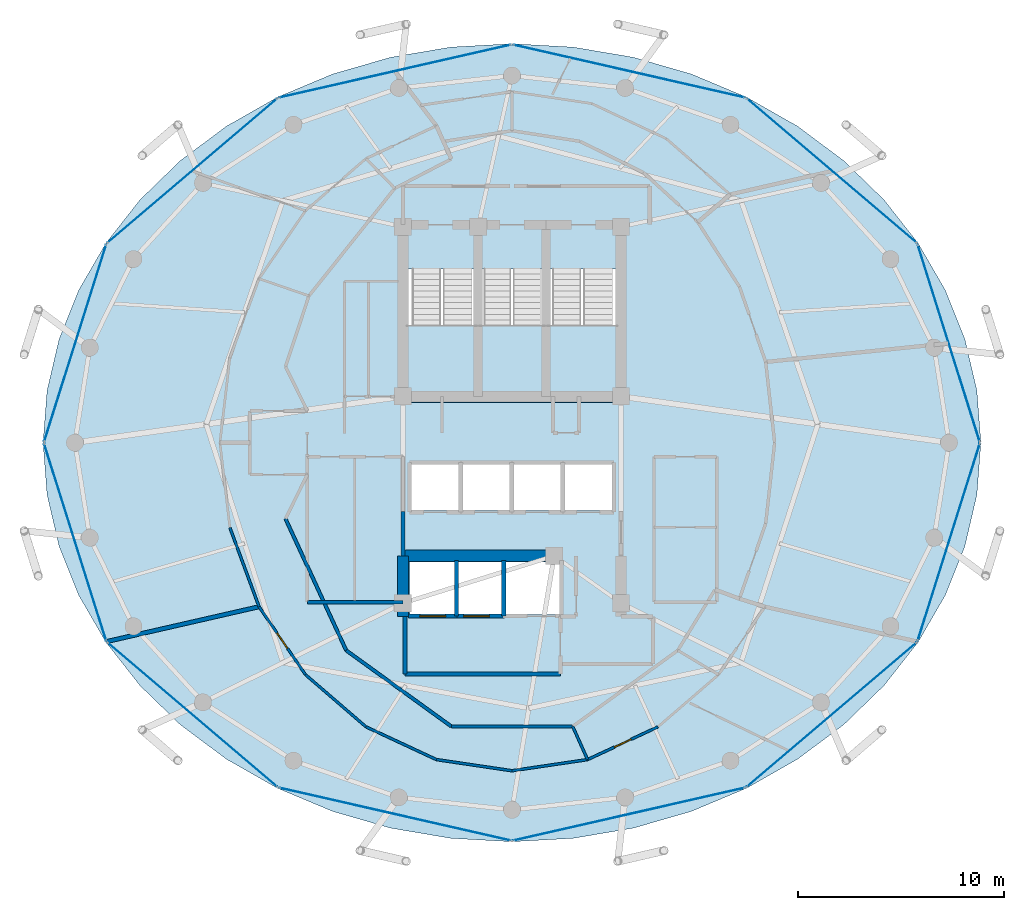
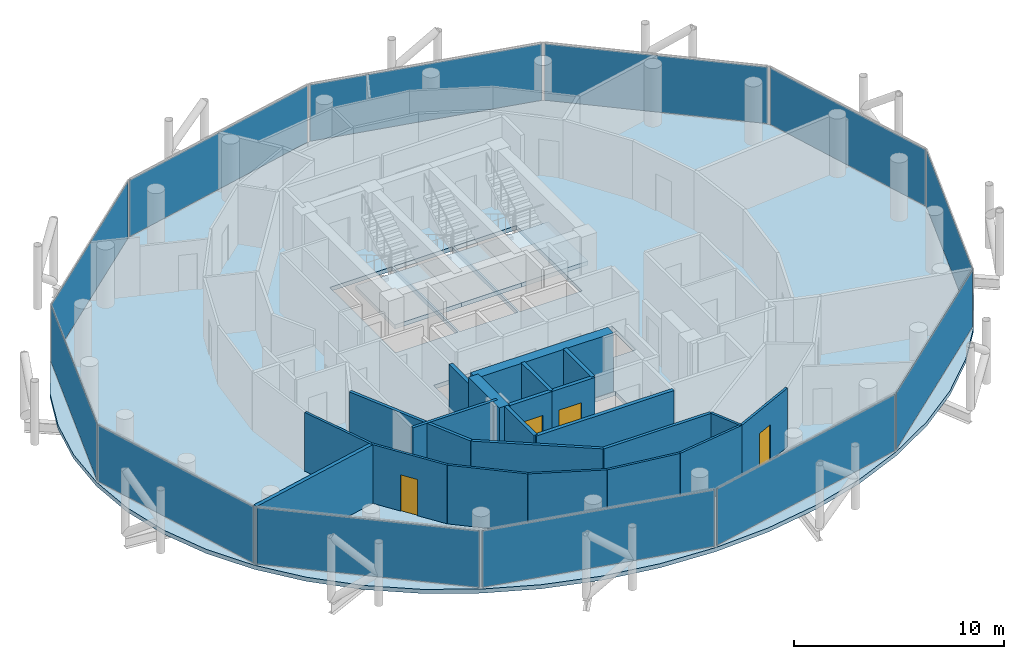
# One storey, part 22 of 27: 22 walls, 12 plates, 4 doors, 4 slabs, 4 openings, 15 elements without a shape of their own.
"""IFC4 building model written with IfcOpenShell, lengths in metres."""

from ifc_helpers import new_model, si_unit, direction, frame, frame_2d, origin, origin_2d, place, context, subcontext, project, spatial, polyline, rectangle, outline, extrude, material, layer, layer_set, type_object, element, fill, aggregate, save


model = new_model("IFC4")

# Units and contexts
model_context = context("Model", 3, precision=1e-05, world=origin(), true_north=direction((0.0, 1.0)))
body_context = subcontext(model_context, "Body", "Model", "MODEL_VIEW")
ifc_project = project(units=[si_unit("LENGTHUNIT", "METRE"), si_unit("AREAUNIT", "SQUARE_METRE"), si_unit("VOLUMEUNIT", "CUBIC_METRE"), si_unit("PLANEANGLEUNIT", "RADIAN"), si_unit("MASSUNIT", "GRAM", prefix="KILO")], contexts=[model_context])

# Site, building, storey
site_placement = place(None, origin())
site = spatial("IfcSite", under=ifc_project, at=site_placement, CompositionType="ELEMENT")
building_placement = place(site_placement, origin())
building = spatial("IfcBuilding", under=site, at=building_placement, Name="Nuhasar Tower", CompositionType="ELEMENT")
storey_placement = place(building_placement, frame((0.0, 0.0, 211.800048828125)))
storey = spatial("IfcBuildingStorey", under=building, at=storey_placement, Name="L51", CompositionType="ELEMENT", Elevation=211.800048828125)

# Curtain wall, plate
ifc_material_1 = material(Name="Aluminium 6063-T6", Category="aluminium")
ifc_layer_1 = layer(ifc_material_1, 0.18994140625)
ifc_layer_set_1 = layer_set([ifc_layer_1], Name="Aluminium 6063-T6")
curtain_wall_type = type_object("IfcCurtainWallType", Name="CW-Z3-RES", PredefinedType="NOTDEFINED", material=ifc_layer_set_1)
curtain_wall_1_placement = place(storey_placement, origin())
curtain_wall_1 = element("IfcCurtainWall", 1, at=curtain_wall_1_placement, inside=storey, type_object=curtain_wall_type, Name="L51 Unitised Curtain Wall 01", PredefinedType="NOTDEFINED")
ifc_material_2 = material(Name="Glass Double Low-E", Category="glass")
ifc_layer_2 = layer(ifc_material_2, 0.028076171875)
ifc_layer_set_2 = layer_set([ifc_layer_2], Name="Glass Double Low-E")
plate_type = type_object("IfcPlateType", Name="CW-PANEL-GLZ", PredefinedType="CURTAIN_PANEL", material=ifc_layer_set_2)
plate_1_placement = place(storey_placement, frame((60.235595703125, 31.639892578125, 0.06494140625), z_axis=(0.0, 0.0, 1.0), x_axis=(-0.30042864553, 0.95380429279, 0.0)))
plate_1 = element("IfcPlate", 2, at=plate_1_placement, type_object=plate_type, Name="CW-Z3 panel 1.1", PredefinedType="CURTAIN_PANEL", context=body_context, shape_type="SweptSolid", body=[
    extrude(rectangle(XDim=10.018798828125, YDim=0.028076171875, at=origin_2d()), origin(), (0.0, 0.0, 1.0), 3.280029296875),
])
aggregate(curtain_wall_1, [plate_1])

curtain_wall_2_placement = place(storey_placement, origin())
curtain_wall_2 = element("IfcCurtainWall", 3, at=curtain_wall_2_placement, inside=storey, type_object=curtain_wall_type, Name="L51 Unitised Curtain Wall 02", PredefinedType="NOTDEFINED")
plate_2_placement = place(storey_placement, frame((54.54541015625, 40.02294921875, 0.06494140625), z_axis=(0.0, 0.0, 1.0), x_axis=(-0.761729472562, 0.64789521578, 0.0)))
plate_2 = element("IfcPlate", 4, at=plate_2_placement, type_object=plate_type, Name="CW-Z3 panel 1.1", PredefinedType="CURTAIN_PANEL", context=body_context, shape_type="SweptSolid", body=[
    extrude(rectangle(XDim=10.806884765625, YDim=0.028076171875, at=origin_2d()), origin(), (0.0, 0.0, 1.0), 3.280029296875),
])
aggregate(curtain_wall_2, [plate_2])

curtain_wall_3_placement = place(storey_placement, origin())
curtain_wall_3 = element("IfcCurtainWall", 5, at=curtain_wall_3_placement, inside=storey, type_object=curtain_wall_type, Name="L51 Unitised Curtain Wall 03", PredefinedType="NOTDEFINED")
plate_3_placement = place(storey_placement, frame((44.68994140625, 44.863037109375, 0.06494140625), z_axis=(0.0, 0.0, 1.0), x_axis=(-0.974991266926, 0.222243176313, 0.0)))
plate_3 = element("IfcPlate", 6, at=plate_3_placement, type_object=plate_type, Name="CW-Z3 panel 1.1", PredefinedType="CURTAIN_PANEL", context=body_context, shape_type="SweptSolid", body=[
    extrude(rectangle(XDim=11.5419921875, YDim=0.028076171875, at=origin_2d()), origin(), (0.0, 0.0, 1.0), 3.280029296875),
])
aggregate(curtain_wall_3, [plate_3])

curtain_wall_4_placement = place(storey_placement, origin())
curtain_wall_4 = element("IfcCurtainWall", 7, at=curtain_wall_4_placement, inside=storey, type_object=curtain_wall_type, Name="L51 Unitised Curtain Wall 04", PredefinedType="NOTDEFINED")
plate_4_placement = place(storey_placement, frame((33.31005859375, 44.863037109375, 0.06494140625), z_axis=(0.0, 0.0, 1.0), x_axis=(-0.974991266926, -0.222243176313, 0.0)))
plate_4 = element("IfcPlate", 8, at=plate_4_placement, type_object=plate_type, Name="CW-Z3 panel 1.1", PredefinedType="CURTAIN_PANEL", context=body_context, shape_type="SweptSolid", body=[
    extrude(rectangle(XDim=11.5419921875, YDim=0.028076171875, at=origin_2d()), origin(), (0.0, 0.0, 1.0), 3.280029296875),
])
aggregate(curtain_wall_4, [plate_4])

curtain_wall_5_placement = place(storey_placement, origin())
curtain_wall_5 = element("IfcCurtainWall", 9, at=curtain_wall_5_placement, inside=storey, type_object=curtain_wall_type, Name="L51 Unitised Curtain Wall 05", PredefinedType="NOTDEFINED")
plate_5_placement = place(storey_placement, frame((23.45458984375, 40.02294921875, 0.06494140625), z_axis=(0.0, 0.0, 1.0), x_axis=(-0.761729472562, -0.64789521578, 0.0)))
plate_5 = element("IfcPlate", 10, at=plate_5_placement, type_object=plate_type, Name="CW-Z3 panel 1.1", PredefinedType="CURTAIN_PANEL", context=body_context, shape_type="SweptSolid", body=[
    extrude(rectangle(XDim=10.806884765625, YDim=0.028076171875, at=origin_2d()), origin(), (0.0, 0.0, 1.0), 3.280029296875),
])
aggregate(curtain_wall_5, [plate_5])

curtain_wall_6_placement = place(storey_placement, origin())
curtain_wall_6 = element("IfcCurtainWall", 11, at=curtain_wall_6_placement, inside=storey, type_object=curtain_wall_type, Name="L51 Unitised Curtain Wall 06", PredefinedType="NOTDEFINED")
plate_6_placement = place(storey_placement, frame((17.764404296875, 31.639892578125, 0.06494140625), z_axis=(0.0, 0.0, 1.0), x_axis=(-0.30042864553, -0.95380429279, 0.0)))
plate_6 = element("IfcPlate", 12, at=plate_6_placement, type_object=plate_type, Name="CW-Z3 panel 1.1", PredefinedType="CURTAIN_PANEL", context=body_context, shape_type="SweptSolid", body=[
    extrude(rectangle(XDim=10.018798828125, YDim=0.028076171875, at=origin_2d()), origin(), (0.0, 0.0, 1.0), 3.280029296875),
])
aggregate(curtain_wall_6, [plate_6])

curtain_wall_7_placement = place(storey_placement, origin())
curtain_wall_7 = element("IfcCurtainWall", 13, at=curtain_wall_7_placement, inside=storey, type_object=curtain_wall_type, Name="L51 Unitised Curtain Wall 07", PredefinedType="NOTDEFINED")
plate_7_placement = place(storey_placement, frame((17.764404296875, 21.9599609375, 0.06494140625), z_axis=(0.0, 0.0, 1.0), x_axis=(0.30042864553, -0.95380429279, 0.0)))
plate_7 = element("IfcPlate", 14, at=plate_7_placement, type_object=plate_type, Name="CW-Z3 panel 1.1", PredefinedType="CURTAIN_PANEL", context=body_context, shape_type="SweptSolid", body=[
    extrude(rectangle(XDim=10.018798828125, YDim=0.028076171875, at=origin_2d()), origin(), (0.0, 0.0, 1.0), 3.280029296875),
])
aggregate(curtain_wall_7, [plate_7])

curtain_wall_8_placement = place(storey_placement, origin())
curtain_wall_8 = element("IfcCurtainWall", 15, at=curtain_wall_8_placement, inside=storey, type_object=curtain_wall_type, Name="L51 Unitised Curtain Wall 08", PredefinedType="NOTDEFINED")
plate_8_placement = place(storey_placement, frame((23.45458984375, 13.576904296875, 0.06494140625), z_axis=(0.0, 0.0, 1.0), x_axis=(0.761729472562, -0.64789521578, 0.0)))
plate_8 = element("IfcPlate", 16, at=plate_8_placement, type_object=plate_type, Name="CW-Z3 panel 1.1", PredefinedType="CURTAIN_PANEL", context=body_context, shape_type="SweptSolid", body=[
    extrude(rectangle(XDim=10.806884765625, YDim=0.028076171875, at=origin_2d()), origin(), (0.0, 0.0, 1.0), 3.280029296875),
])
aggregate(curtain_wall_8, [plate_8])

curtain_wall_9_placement = place(storey_placement, origin())
curtain_wall_9 = element("IfcCurtainWall", 17, at=curtain_wall_9_placement, inside=storey, type_object=curtain_wall_type, Name="L51 Unitised Curtain Wall 09", PredefinedType="NOTDEFINED")
plate_9_placement = place(storey_placement, frame((33.31005859375, 8.737060546875, 0.06494140625), z_axis=(0.0, 0.0, 1.0), x_axis=(0.974991266926, -0.222243176313, 0.0)))
plate_9 = element("IfcPlate", 18, at=plate_9_placement, type_object=plate_type, Name="CW-Z3 panel 1.1", PredefinedType="CURTAIN_PANEL", context=body_context, shape_type="SweptSolid", body=[
    extrude(rectangle(XDim=11.5419921875, YDim=0.028076171875, at=origin_2d()), origin(), (0.0, 0.0, 1.0), 3.280029296875),
])
aggregate(curtain_wall_9, [plate_9])

curtain_wall_10_placement = place(storey_placement, origin())
curtain_wall_10 = element("IfcCurtainWall", 19, at=curtain_wall_10_placement, inside=storey, type_object=curtain_wall_type, Name="L51 Unitised Curtain Wall 10", PredefinedType="NOTDEFINED")
plate_10_placement = place(storey_placement, frame((44.68994140625, 8.737060546875, 0.06494140625), z_axis=(0.0, 0.0, 1.0), x_axis=(0.974991266926, 0.222243176313, 0.0)))
plate_10 = element("IfcPlate", 20, at=plate_10_placement, type_object=plate_type, Name="CW-Z3 panel 1.1", PredefinedType="CURTAIN_PANEL", context=body_context, shape_type="SweptSolid", body=[
    extrude(rectangle(XDim=11.5419921875, YDim=0.028076171875, at=origin_2d()), origin(), (0.0, 0.0, 1.0), 3.280029296875),
])
aggregate(curtain_wall_10, [plate_10])

curtain_wall_11_placement = place(storey_placement, origin())
curtain_wall_11 = element("IfcCurtainWall", 21, at=curtain_wall_11_placement, inside=storey, type_object=curtain_wall_type, Name="L51 Unitised Curtain Wall 11", PredefinedType="NOTDEFINED")
plate_11_placement = place(storey_placement, frame((54.54541015625, 13.576904296875, 0.06494140625), z_axis=(0.0, 0.0, 1.0), x_axis=(0.761729472562, 0.64789521578, 0.0)))
plate_11 = element("IfcPlate", 22, at=plate_11_placement, type_object=plate_type, Name="CW-Z3 panel 1.1", PredefinedType="CURTAIN_PANEL", context=body_context, shape_type="SweptSolid", body=[
    extrude(rectangle(XDim=10.806884765625, YDim=0.028076171875, at=origin_2d()), origin(), (0.0, 0.0, 1.0), 3.280029296875),
])
aggregate(curtain_wall_11, [plate_11])

curtain_wall_12_placement = place(storey_placement, origin())
curtain_wall_12 = element("IfcCurtainWall", 23, at=curtain_wall_12_placement, inside=storey, type_object=curtain_wall_type, Name="L51 Unitised Curtain Wall 12", PredefinedType="NOTDEFINED")
plate_12_placement = place(storey_placement, frame((60.235595703125, 21.9599609375, 0.06494140625), z_axis=(0.0, 0.0, 1.0), x_axis=(0.30042864553, 0.95380429279, 0.0)))
plate_12 = element("IfcPlate", 24, at=plate_12_placement, type_object=plate_type, Name="CW-Z3 panel 1.1", PredefinedType="CURTAIN_PANEL", context=body_context, shape_type="SweptSolid", body=[
    extrude(rectangle(XDim=10.018798828125, YDim=0.028076171875, at=origin_2d()), origin(), (0.0, 0.0, 1.0), 3.280029296875),
])
aggregate(curtain_wall_12, [plate_12])

# Stair, slab
ifc_material_3 = material(Name="Concrete C45/55", Category="concrete")
stair_type_1 = type_object("IfcStairType", Name="STR-ST-01-2F-22R-1659", PredefinedType="HALF_TURN_STAIR", material=ifc_material_3)
stair_1_placement = place(storey_placement, origin())
stair_1 = element("IfcStair", 25, at=stair_1_placement, inside=storey, type_object=stair_type_1, Name="L51 Exit Stair ST-01", PredefinedType="HALF_TURN_STAIR")
ifc_layer_3 = layer(ifc_material_3, 0.239990234375)
ifc_layer_set_3 = layer_set([ifc_layer_3], Name="Concrete C45/55")
slab_type_1 = type_object("IfcSlabType", Name="SLB-STAIR-LND-240", PredefinedType="LANDING", material=ifc_layer_set_3)
slab_1_placement = place(storey_placement, frame((0.0, 0.0, 1.5849609375)))
slab_1 = element("IfcSlab", 26, at=slab_1_placement, type_object=slab_type_1, Name="ST-01 landing 1", PredefinedType="LANDING", context=body_context, shape_type="SweptSolid", body=[
    extrude(outline(polyline([(33.699951171875, 28.75), (37.35009765625, 28.75), (37.35009765625, 32.52001953125), (33.699951171875, 32.52001953125), (33.699951171875, 28.75)])), origin(), (0.0, 0.0, 1.0), 0.239990234375),
])
aggregate(stair_1, [slab_1])

stair_type_2 = type_object("IfcStairType", Name="STR-ST-03-2F-22R-1659", PredefinedType="HALF_TURN_STAIR", material=ifc_material_3)
stair_2_placement = place(storey_placement, origin())
stair_2 = element("IfcStair", 27, at=stair_2_placement, inside=storey, type_object=stair_type_2, Name="L51 Exit Stair ST-03", PredefinedType="HALF_TURN_STAIR")
slab_2_placement = place(storey_placement, frame((0.0, 0.0, 1.5849609375)))
slab_2 = element("IfcSlab", 28, at=slab_2_placement, type_object=slab_type_1, Name="ST-03 landing 1", PredefinedType="LANDING", context=body_context, shape_type="SweptSolid", body=[
    extrude(outline(polyline([(37.35009765625, 28.75), (40.64990234375, 28.75), (40.64990234375, 32.52001953125), (37.35009765625, 32.52001953125), (37.35009765625, 28.75)])), origin(), (0.0, 0.0, 1.0), 0.239990234375),
])
aggregate(stair_2, [slab_2])

stair_type_3 = type_object("IfcStairType", Name="STR-ST-02-2F-22R-1659", PredefinedType="HALF_TURN_STAIR", material=ifc_material_3)
stair_3_placement = place(storey_placement, origin())
stair_3 = element("IfcStair", 29, at=stair_3_placement, inside=storey, type_object=stair_type_3, Name="L51 Exit Stair ST-02", PredefinedType="HALF_TURN_STAIR")
slab_3_placement = place(storey_placement, frame((0.0, 0.0, 1.5849609375)))
slab_3 = element("IfcSlab", 30, at=slab_3_placement, type_object=slab_type_1, Name="ST-02 landing 1", PredefinedType="LANDING", context=body_context, shape_type="SweptSolid", body=[
    extrude(outline(polyline([(40.64990234375, 28.75), (44.300048828125, 28.75), (44.300048828125, 32.52001953125), (40.64990234375, 32.52001953125), (40.64990234375, 28.75)])), origin(), (0.0, 0.0, 1.0), 0.239990234375),
])
aggregate(stair_3, [slab_3])

# Slab
ifc_layer_4 = layer(ifc_material_3, 0.239990234375)
ifc_layer_set_4 = layer_set([ifc_layer_4], Name="Concrete C45/55")
slab_type_2 = type_object("IfcSlabType", Name="SLB-Z3-240", PredefinedType="FLOOR", material=ifc_layer_set_4)
slab_4_placement = place(storey_placement, frame((0.0, 0.0, -0.239990234375)))
element("IfcSlab", 31, at=slab_4_placement, inside=storey, type_object=slab_type_2, Name="L51 Structural Slab", PredefinedType="FLOOR", context=body_context, shape_type="SweptSolid", body=[
    extrude(outline(polyline([(61.800048828125, 26.800048828125), (61.60498046875, 29.33203125), (61.02294921875, 31.821044921875), (60.06396484375, 34.22412109375), (58.7451171875, 36.5), (57.087890625, 38.610107421875), (55.1220703125, 40.51806640625), (52.8798828125, 42.19091796875), (50.39990234375, 43.60107421875), (47.72509765625, 44.722900390625), (44.90087890625, 45.5390625), (41.97607421875, 46.033935546875), (39.0, 46.199951171875), (36.02392578125, 46.033935546875), (33.09912109375, 45.5390625), (30.27490234375, 44.722900390625), (27.60009765625, 43.60107421875), (25.1201171875, 42.19091796875), (22.8779296875, 40.51806640625), (20.912109375, 38.610107421875), (19.2548828125, 36.5), (17.93603515625, 34.22412109375), (16.97705078125, 31.821044921875), (16.39501953125, 29.33203125), (16.199951171875, 26.800048828125), (16.39501953125, 24.26806640625), (16.97705078125, 21.779052734375), (17.93603515625, 19.3759765625), (19.2548828125, 17.10009765625), (20.912109375, 14.989990234375), (22.8779296875, 13.08203125), (25.1201171875, 11.408935546875), (27.60009765625, 9.9990234375), (30.27490234375, 8.876953125), (33.09912109375, 8.06103515625), (36.02392578125, 7.56591796875), (39.0, 7.39990234375), (41.97607421875, 7.56591796875), (44.90087890625, 8.06103515625), (47.72509765625, 8.876953125), (50.39990234375, 9.9990234375), (52.8798828125, 11.408935546875), (55.1220703125, 13.08203125), (57.087890625, 14.989990234375), (58.7451171875, 17.10009765625), (60.06396484375, 19.3759765625), (61.02294921875, 21.779052734375), (61.60498046875, 24.26806640625), (61.800048828125, 26.800048828125)]), holes=[polyline([(33.8798828125, 35.25), (37.300048828125, 35.25), (37.300048828125, 29.0), (33.8798828125, 29.0), (33.8798828125, 35.25)]), polyline([(37.39990234375, 35.25), (40.60009765625, 35.25), (40.60009765625, 29.0), (37.39990234375, 29.0), (37.39990234375, 35.25)]), polyline([(40.699951171875, 35.25), (44.1201171875, 35.25), (44.1201171875, 29.0), (40.699951171875, 29.0), (40.699951171875, 35.25)]), polyline([(34.10009765625, 25.75), (36.43994140625, 25.75), (36.43994140625, 23.5), (34.10009765625, 23.5), (34.10009765625, 25.75)]), polyline([(36.580078125, 25.75), (38.919921875, 25.75), (38.919921875, 23.5), (36.580078125, 23.5), (36.580078125, 25.75)]), polyline([(39.06005859375, 25.75), (41.39990234375, 25.75), (41.39990234375, 23.5), (39.06005859375, 23.5), (39.06005859375, 25.75)]), polyline([(41.5400390625, 25.75), (43.8798828125, 25.75), (43.8798828125, 23.5), (41.5400390625, 23.5), (41.5400390625, 25.75)]), polyline([(34.050048828125, 21.0), (36.25, 21.0), (36.25, 18.449951171875), (34.050048828125, 18.449951171875), (34.050048828125, 21.0)]), polyline([(36.35009765625, 21.0), (38.550048828125, 21.0), (38.550048828125, 18.449951171875), (36.35009765625, 18.449951171875), (36.35009765625, 21.0)]), polyline([(38.64990234375, 21.0), (41.320068359375, 21.0), (41.320068359375, 18.449951171875), (38.64990234375, 18.449951171875), (38.64990234375, 21.0)])]), origin(), (0.0, 0.0, 1.0), 0.239990234375),
])

# Walls
ifc_material_4 = material(Name="Concrete C55/67", Category="concrete")
ifc_layer_5 = layer(ifc_material_4, 0.550048828125)
ifc_layer_set_5 = layer_set([ifc_layer_5], Name="Concrete C55/67")
wall_type_1 = type_object("IfcWallType", Name="WL-CORE-550", PredefinedType="SHEAR", material=ifc_layer_set_5)
wall_1_placement = place(storey_placement, frame((33.699951171875, 18.35009765625, 0.0), z_axis=(0.0, 0.0, 1.0), x_axis=(0.0, 1.0, 0.0)))
element("IfcWall", 32, at=wall_1_placement, inside=storey, type_object=wall_type_1, Name="L51 Core Shear Wall CW-SW CW-550", PredefinedType="SHEAR", context=body_context, shape_type="SweptSolid", body=[
    extrude(rectangle(XDim=2.949951171875, YDim=0.550048828125, at=frame_2d((1.47509765625, 0.0))), origin(), (0.0, 0.0, 1.0), 3.409912109375),
])
wall_2_placement = place(storey_placement, frame((33.699951171875, 21.300048828125, 0.0), z_axis=(0.0, 0.0, 1.0), x_axis=(1.0, 0.0, 0.0)))
element("IfcWall", 33, at=wall_2_placement, inside=storey, type_object=wall_type_1, Name="L51 Core Shear Wall CW-S1 CW-550", PredefinedType="SHEAR", context=body_context, shape_type="SweptSolid", body=[
    extrude(rectangle(XDim=7.550048828125, YDim=0.550048828125, at=frame_2d((3.77490234375, 0.0))), origin(), (0.0, 0.0, 1.0), 3.409912109375),
])
ifc_material_5 = material(Name="Gypsum Board", Category="gypsum")
ifc_layer_6 = layer(ifc_material_5, 0.159912109375)
ifc_layer_set_6 = layer_set([ifc_layer_6], Name="Gypsum Board")
wall_type_2 = type_object("IfcWallType", Name="WL-CORR-160", PredefinedType="PARTITIONING", material=ifc_layer_set_6)
wall_3_placement = place(storey_placement, frame((29.050048828125, 19.050048828125, 0.0), z_axis=(0.0, 0.0, 1.0), x_axis=(1.0, 0.0, 0.0)))
element("IfcWall", 34, at=wall_3_placement, inside=storey, type_object=wall_type_2, Name="L51 Interior Partition RECL-B1-S", PredefinedType="PARTITIONING", context=body_context, shape_type="SweptSolid", body=[
    extrude(rectangle(XDim=4.64990234375, YDim=0.159912109375, at=frame_2d((2.324951171875, 0.0))), origin(), (0.0, 0.0, 1.0), 3.409912109375),
])
wall_4_placement = place(storey_placement, frame((27.988037109375, 23.10400390625, 0.0), z_axis=(0.0, 0.0, 1.0), x_axis=(0.418656179426, -0.908144814128, 0.0)))
element("IfcWall", 35, at=wall_4_placement, inside=storey, type_object=wall_type_2, Name="L51 Interior Partition UWEST-CORE-S1-26", PredefinedType="PARTITIONING", context=body_context, shape_type="SweptSolid", body=[
    extrude(rectangle(XDim=7.048583984375, YDim=0.159912109375, at=frame_2d((3.5244140625, 0.0))), origin(), (0.0, 0.0, 1.0), 3.409912109375),
])
wall_5_placement = place(storey_placement, frame((30.93896484375, 16.702880859375, 0.0), z_axis=(0.0, 0.0, 1.0), x_axis=(0.810290119061, -0.586028943784, 0.0)))
element("IfcWall", 36, at=wall_5_placement, inside=storey, type_object=wall_type_2, Name="L51 Interior Partition UWEST-CORE-S1-30", PredefinedType="PARTITIONING", context=body_context, shape_type="SweptSolid", body=[
    extrude(rectangle(XDim=6.306396484375, YDim=0.159912109375, at=frame_2d((3.1533203125, 0.0))), origin(), (0.0, 0.0, 1.0), 3.409912109375),
])
wall_6_placement = place(storey_placement, frame((36.049072265625, 13.007080078125, 0.0), z_axis=(0.0, 0.0, 1.0), x_axis=(1.0, 0.0, 0.0)))
element("IfcWall", 37, at=wall_6_placement, inside=storey, type_object=wall_type_2, Name="L51 Interior Partition UWEST-CORE-S1-34", PredefinedType="PARTITIONING", context=body_context, shape_type="SweptSolid", body=[
    extrude(rectangle(XDim=5.90185546875, YDim=0.159912109375, at=frame_2d((2.950927734375, 0.0))), origin(), (0.0, 0.0, 1.0), 3.409912109375),
])
ifc_layer_7 = layer(ifc_material_3, 0.199951171875)
ifc_layer_set_7 = layer_set([ifc_layer_7], Name="Concrete C45/55")
wall_type_3 = type_object("IfcWallType", Name="WL-LOBBY-200", PredefinedType="SOLIDWALL", material=ifc_layer_set_7)
wall_7_placement = place(storey_placement, frame((33.699951171875, 21.300048828125, 0.0), z_axis=(0.0, 0.0, 1.0), x_axis=(0.0, 1.0, 0.0)))
element("IfcWall", 38, at=wall_7_placement, inside=storey, type_object=wall_type_3, Name="L51 Interior Partition LLBH-W", PredefinedType="SOLIDWALL", context=body_context, shape_type="SweptSolid", body=[
    extrude(rectangle(XDim=2.14990234375, YDim=0.199951171875, at=frame_2d((1.074951171875, 0.0))), origin(), (0.0, 0.0, 1.0), 2.794921875),
])
wall_8_placement = place(storey_placement, frame((33.800048828125, 15.550048828125, 0.0), z_axis=(0.0, 0.0, 1.0), x_axis=(1.0, 0.0, 0.0)))
element("IfcWall", 39, at=wall_8_placement, inside=storey, type_object=wall_type_3, Name="L51 Interior Partition FFL-S", PredefinedType="SOLIDWALL", context=body_context, shape_type="SweptSolid", body=[
    extrude(rectangle(XDim=7.550048828125, YDim=0.199951171875, at=frame_2d((3.77490234375, 0.0))), origin(), (0.0, 0.0, 1.0), 3.409912109375),
])
wall_9_placement = place(storey_placement, frame((33.800048828125, 15.550048828125, 0.0), z_axis=(0.0, 0.0, 1.0), x_axis=(0.0, 1.0, 0.0)))
element("IfcWall", 40, at=wall_9_placement, inside=storey, type_object=wall_type_3, Name="L51 Interior Partition FFL-W", PredefinedType="SOLIDWALL", context=body_context, shape_type="SweptSolid", body=[
    extrude(rectangle(XDim=2.800048828125, YDim=0.199951171875, at=frame_2d((1.39990234375, 0.0))), origin(), (0.0, 0.0, 1.0), 3.409912109375),
])
ifc_layer_8 = layer(ifc_material_5, 0.125)
ifc_layer_set_8 = layer_set([ifc_layer_8], Name="Gypsum Board")
wall_type_4 = type_object("IfcWallType", Name="WL-PART-125", PredefinedType="PARTITIONING", material=ifc_layer_set_8)
wall_10_placement = place(storey_placement, frame((25.283935546875, 22.672119140625, 0.0), z_axis=(0.0, 0.0, 1.0), x_axis=(0.345832286314, -0.938296344308, 0.0)))
element("IfcWall", 41, at=wall_10_placement, inside=storey, type_object=wall_type_4, Name="L51 Interior Partition USM-1-D-26", PredefinedType="PARTITIONING", context=body_context, shape_type="SweptSolid", body=[
    extrude(rectangle(XDim=4.10009765625, YDim=0.125, at=frame_2d((2.050048828125, 0.0))), origin(), (0.0, 0.0, 1.0), 3.409912109375),
])

# Wall, opening, door
wall_11_placement = place(storey_placement, frame((46.10009765625, 12.987060546875, 0.0), z_axis=(0.0, 0.0, 1.0), x_axis=(-0.906625113427, -0.421937085007, 0.0)))
wall_11 = element("IfcWall", 42, at=wall_11_placement, inside=storey, type_object=wall_type_4, Name="L51 Interior Partition USM-2-K-38", PredefinedType="PARTITIONING", context=body_context, shape_type="SweptSolid", body=[
    extrude(rectangle(XDim=3.77783203125, YDim=0.125, at=frame_2d((1.888916015625, 0.0))), origin(), (0.0, 0.0, 1.0), 3.409912109375),
])
opening_1_placement = place(wall_11_placement, frame((1.43896484375, 0.0, 0.0)))
opening_1 = element("IfcOpeningElement", 43, at=opening_1_placement, cuts=wall_11, Name="Opening DR-01", PredefinedType="OPENING", context=body_context, shape_type="SweptSolid", body=[
    extrude(rectangle(XDim=0.89990234375, YDim=2.10009765625, at=frame_2d((0.449951171875, 1.050048828125))), frame((0.0, 0.072509765625, 0.0), z_axis=(0.0, -1.0, 0.0), x_axis=(1.0, 0.0, 0.0)), (0.0, 0.0, 1.0), 0.14501953125),
])
ifc_material_6 = material(Name="Timber Oak", Category="wood")
door_type_1 = type_object("IfcDoorType", Name="DR-ROOM-900", OperationType="NOTDEFINED", PredefinedType="DOOR", material=ifc_material_6)
door_1_placement = place(opening_1_placement, origin())
door_1 = element("IfcDoor", 44, at=door_1_placement, inside=storey, type_object=door_type_1, Name="L51 South-West Sky Home Kitchen Door", OperationType="SINGLE_SWING_RIGHT", OverallHeight=2.10009765625, OverallWidth=0.89990234375, PredefinedType="DOOR", context=body_context, shape_type="SweptSolid", body=[
    extrude(rectangle(XDim=0.89990234375, YDim=2.10009765625, at=frame_2d((0.449951171875, 1.050048828125))), frame((0.0, 0.02490234375, 0.0), z_axis=(0.0, -1.0, 0.0), x_axis=(1.0, 0.0, 0.0)), (0.0, 0.0, 1.0), 0.050048828125),
])
fill(opening_1, door_1)

# Wall
wall_12_placement = place(storey_placement, frame((41.950927734375, 13.007080078125, 0.0), z_axis=(0.0, 0.0, 1.0), x_axis=(0.409337233456, -0.912383159263, 0.0)))
element("IfcWall", 45, at=wall_12_placement, inside=storey, type_object=wall_type_4, Name="L51 Interior Partition USI-2-DK", PredefinedType="PARTITIONING", context=body_context, shape_type="SweptSolid", body=[
    extrude(rectangle(XDim=1.76904296875, YDim=0.125, at=frame_2d((0.884521484375, 0.0))), origin(), (0.0, 0.0, 1.0), 3.409912109375),
])

# Wall, opening, door
wall_13_placement = place(storey_placement, frame((28.958984375, 15.52197265625, 0.0), z_axis=(0.0, 0.0, 1.0), x_axis=(-0.56419813198, 0.825639429697, 0.0)))
wall_13 = element("IfcWall", 46, at=wall_13_placement, inside=storey, type_object=wall_type_4, Name="L51 Interior Partition USM-2-D-28", PredefinedType="PARTITIONING", context=body_context, shape_type="SweptSolid", body=[
    extrude(rectangle(XDim=4.00048828125, YDim=0.125, at=frame_2d((2.000244140625, 0.0))), origin(), (0.0, 0.0, 1.0), 3.409912109375),
])
opening_2_placement = place(wall_13_placement, frame((1.550048828125, 0.0, 0.0)))
opening_2 = element("IfcOpeningElement", 47, at=opening_2_placement, cuts=wall_13, Name="Opening DR-01", PredefinedType="OPENING", context=body_context, shape_type="SweptSolid", body=[
    extrude(rectangle(XDim=0.89990234375, YDim=2.10009765625, at=frame_2d((0.449951171875, 1.050048828125))), frame((0.0, 0.072509765625, 0.0), z_axis=(0.0, -1.0, 0.0), x_axis=(1.0, 0.0, 0.0)), (0.0, 0.0, 1.0), 0.14501953125),
])
door_2_placement = place(opening_2_placement, origin())
door_2 = element("IfcDoor", 48, at=door_2_placement, inside=storey, type_object=door_type_1, Name="L51 South-West Sky Home Living Door", OperationType="SINGLE_SWING_LEFT", OverallHeight=2.10009765625, OverallWidth=0.89990234375, PredefinedType="DOOR", context=body_context, shape_type="SweptSolid", body=[
    extrude(rectangle(XDim=0.89990234375, YDim=2.10009765625, at=frame_2d((0.449951171875, 1.050048828125))), frame((0.0, 0.02490234375, 0.0), z_axis=(0.0, -1.0, 0.0), x_axis=(1.0, 0.0, 0.0)), (0.0, 0.0, 1.0), 0.050048828125),
])
fill(opening_2, door_2)

# Walls
wall_14_placement = place(storey_placement, frame((28.958984375, 15.52197265625, 0.0), z_axis=(0.0, 0.0, 1.0), x_axis=(0.757456069071, -0.652886133585, 0.0)))
element("IfcWall", 49, at=wall_14_placement, inside=storey, type_object=wall_type_4, Name="L51 Interior Partition USM-2-D-30", PredefinedType="PARTITIONING", context=body_context, shape_type="SweptSolid", body=[
    extrude(rectangle(XDim=3.882568359375, YDim=0.125, at=frame_2d((1.94140625, 0.0))), origin(), (0.0, 0.0, 1.0), 3.409912109375),
])
wall_15_placement = place(storey_placement, frame((31.89990234375, 12.987060546875, 0.0), z_axis=(0.0, 0.0, 1.0), x_axis=(0.906625113427, -0.421937085007, 0.0)))
element("IfcWall", 50, at=wall_15_placement, inside=storey, type_object=wall_type_4, Name="L51 Interior Partition USM-2-D-32", PredefinedType="PARTITIONING", context=body_context, shape_type="SweptSolid", body=[
    extrude(rectangle(XDim=3.77783203125, YDim=0.125, at=frame_2d((1.888916015625, 0.0))), origin(), (0.0, 0.0, 1.0), 3.409912109375),
])
for number, where, z_axis, x_axis, name in (
    (51, (35.324951171875, 11.39306640625, 0.0), (0.0, 0.0, 1.0), (0.989261252839, -0.146158043334, 0.0), "L51 Interior Partition USM-2-D-34"),
    (52, (39.0, 10.85009765625, 0.0), (0.0, 0.0, 1.0), (0.989261252839, 0.146158043334, 0.0), "L51 Interior Partition USM-2-D-36"),
):
    element("IfcWall", number, at=place(storey_placement, frame(where, z_axis=z_axis, x_axis=x_axis)), inside=storey, type_object=wall_type_4, Name=name, PredefinedType="PARTITIONING", context=body_context, shape_type="SweptSolid", body=[
        extrude(rectangle(XDim=3.71484375, YDim=0.125, at=frame_2d((1.857421875, 0.0))), origin(), (0.0, 0.0, 1.0), 3.409912109375),
    ])

# Wall, opening, door
ifc_layer_9 = layer(ifc_material_3, 0.199951171875)
ifc_layer_set_9 = layer_set([ifc_layer_9], Name="Concrete C45/55")
wall_type_5 = type_object("IfcWallType", Name="WL-SHAFT-200", PredefinedType="SOLIDWALL", material=ifc_layer_set_9)
wall_16_placement = place(storey_placement, frame((33.969970703125, 18.3701171875, 0.0), z_axis=(0.0, 0.0, 1.0), x_axis=(1.0, 0.0, 0.0)))
wall_16 = element("IfcWall", 53, at=wall_16_placement, inside=storey, type_object=wall_type_5, Name="L51 Interior Partition SHF-FFL-01-S", PredefinedType="SOLIDWALL", context=body_context, shape_type="SweptSolid", body=[
    extrude(rectangle(XDim=2.360107421875, YDim=0.199951171875, at=frame_2d((1.18017578125, 0.0))), origin(), (0.0, 0.0, 1.0), 3.409912109375),
])
opening_3_placement = place(wall_16_placement, frame((0.554931640625, 0.0, 0.0)))
opening_3 = element("IfcOpeningElement", 54, at=opening_3_placement, cuts=wall_16, Name="Opening LD-F01", PredefinedType="OPENING", context=body_context, shape_type="SweptSolid", body=[
    extrude(rectangle(XDim=1.25, YDim=2.199951171875, at=frame_2d((0.625, 1.10009765625))), frame((0.0, 0.10986328125, 0.0), z_axis=(0.0, -1.0, 0.0), x_axis=(1.0, 0.0, 0.0)), (0.0, 0.0, 1.0), 0.219970703125),
])
ifc_material_7 = material(Name="Stainless Steel 316L", Category="steel")
door_type_2 = type_object("IfcDoorType", Name="LD-FFL-1250", OperationType="DOUBLE_DOOR_SLIDING", PredefinedType="DOOR", material=ifc_material_7)
door_3_placement = place(opening_3_placement, origin())
door_3 = element("IfcDoor", 55, at=door_3_placement, inside=storey, type_object=door_type_2, Name="L51 Lift Landing Door FFL-01", OperationType="DOUBLE_DOOR_SLIDING", OverallHeight=2.199951171875, OverallWidth=1.25, PredefinedType="DOOR", context=body_context, shape_type="SweptSolid", body=[
    extrude(rectangle(XDim=1.25, YDim=2.199951171875, at=frame_2d((0.625, 1.10009765625))), frame((0.0, 0.02490234375, 0.0), z_axis=(0.0, -1.0, 0.0), x_axis=(1.0, 0.0, 0.0)), (0.0, 0.0, 1.0), 0.050048828125),
])
fill(opening_3, door_3)

# Wall
wall_17_placement = place(storey_placement, frame((36.300048828125, 18.3701171875, 0.0), z_axis=(0.0, 0.0, 1.0), x_axis=(0.0, 1.0, 0.0)))
element("IfcWall", 56, at=wall_17_placement, inside=storey, type_object=wall_type_5, Name="L51 Interior Partition SHF-FFL-01-E", PredefinedType="SOLIDWALL", context=body_context, shape_type="SweptSolid", body=[
    extrude(rectangle(XDim=2.7099609375, YDim=0.199951171875, at=frame_2d((1.35498046875, 0.0))), origin(), (0.0, 0.0, 1.0), 3.409912109375),
])

# Wall, opening, door
wall_18_placement = place(storey_placement, frame((36.27001953125, 18.3701171875, 0.0), z_axis=(0.0, 0.0, 1.0), x_axis=(1.0, 0.0, 0.0)))
wall_18 = element("IfcWall", 57, at=wall_18_placement, inside=storey, type_object=wall_type_5, Name="L51 Interior Partition SHF-FFL-02-S", PredefinedType="SOLIDWALL", context=body_context, shape_type="SweptSolid", body=[
    extrude(rectangle(XDim=2.35986328125, YDim=0.199951171875, at=frame_2d((1.179931640625, 0.0))), origin(), (0.0, 0.0, 1.0), 3.409912109375),
])
opening_4_placement = place(wall_18_placement, frame((0.3798828125, 0.0, 0.0)))
opening_4 = element("IfcOpeningElement", 58, at=opening_4_placement, cuts=wall_18, Name="Opening LD-F02", PredefinedType="OPENING", context=body_context, shape_type="SweptSolid", body=[
    extrude(rectangle(XDim=1.25, YDim=2.199951171875, at=frame_2d((0.625, 1.10009765625))), frame((0.0, 0.10986328125, 0.0), z_axis=(0.0, -1.0, 0.0), x_axis=(1.0, 0.0, 0.0)), (0.0, 0.0, 1.0), 0.219970703125),
])
door_4_placement = place(opening_4_placement, origin())
door_4 = element("IfcDoor", 59, at=door_4_placement, inside=storey, type_object=door_type_2, Name="L51 Lift Landing Door FFL-02", OperationType="DOUBLE_DOOR_SLIDING", OverallHeight=2.199951171875, OverallWidth=1.25, PredefinedType="DOOR", context=body_context, shape_type="SweptSolid", body=[
    extrude(rectangle(XDim=1.25, YDim=2.199951171875, at=frame_2d((0.625, 1.10009765625))), frame((0.0, 0.02490234375, 0.0), z_axis=(0.0, -1.0, 0.0), x_axis=(1.0, 0.0, 0.0)), (0.0, 0.0, 1.0), 0.050048828125),
])
fill(opening_4, door_4)

# Walls
wall_19_placement = place(storey_placement, frame((38.60009765625, 18.3701171875, 0.0), z_axis=(0.0, 0.0, 1.0), x_axis=(0.0, 1.0, 0.0)))
element("IfcWall", 60, at=wall_19_placement, inside=storey, type_object=wall_type_5, Name="L51 Interior Partition SHF-FFL-02-E", PredefinedType="SOLIDWALL", context=body_context, shape_type="SweptSolid", body=[
    extrude(rectangle(XDim=2.7099609375, YDim=0.199951171875, at=frame_2d((1.35498046875, 0.0))), origin(), (0.0, 0.0, 1.0), 3.409912109375),
])
ifc_material_8 = material(Name="Concrete C40/50 precast", Category="concrete")
ifc_layer_10 = layer(ifc_material_8, 0.199951171875)
ifc_layer_set_10 = layer_set([ifc_layer_10], Name="Concrete C40/50 precast")
wall_type_6 = type_object("IfcWallType", Name="WL-UNIT-200", PredefinedType="PARTITIONING", material=ifc_layer_set_10)
wall_20_placement = place(storey_placement, frame((26.701904296875, 18.824951171875, 0.0), z_axis=(0.0, 0.0, 1.0), x_axis=(-0.97486610999, -0.222791533934, 0.0)))
element("IfcWall", 61, at=wall_20_placement, inside=storey, type_object=wall_type_6, Name="L51 Interior Partition UWEST-PARTY-OUT", PredefinedType="PARTITIONING", context=body_context, shape_type="SweptSolid", body=[
    extrude(rectangle(XDim=7.572265625, YDim=0.199951171875, at=frame_2d((3.7861328125, 0.0))), origin(), (0.0, 0.0, 1.0), 3.409912109375),
])

save(model, "model.ifc")
